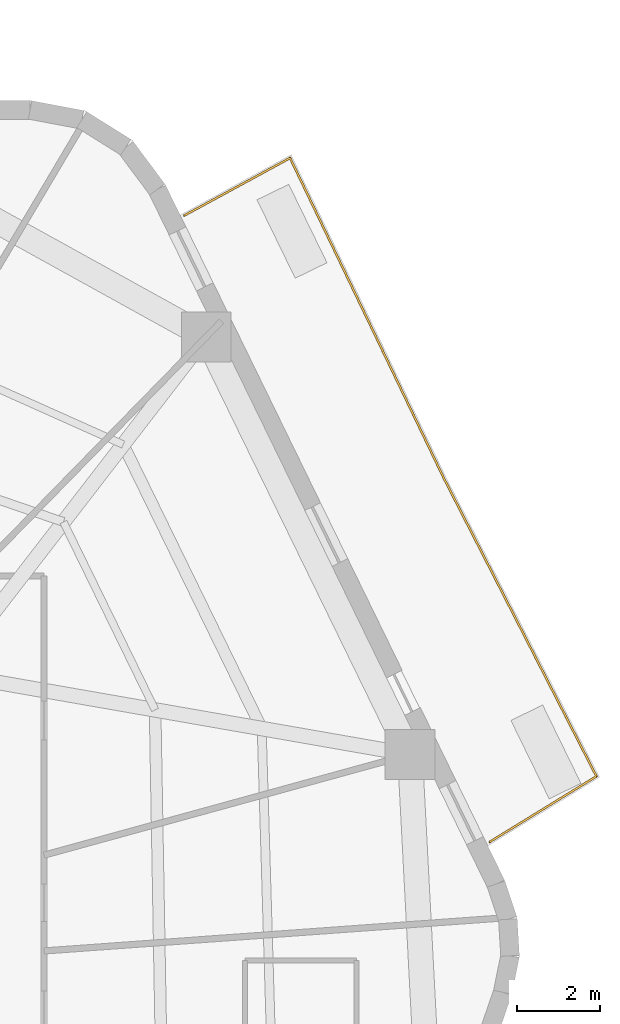
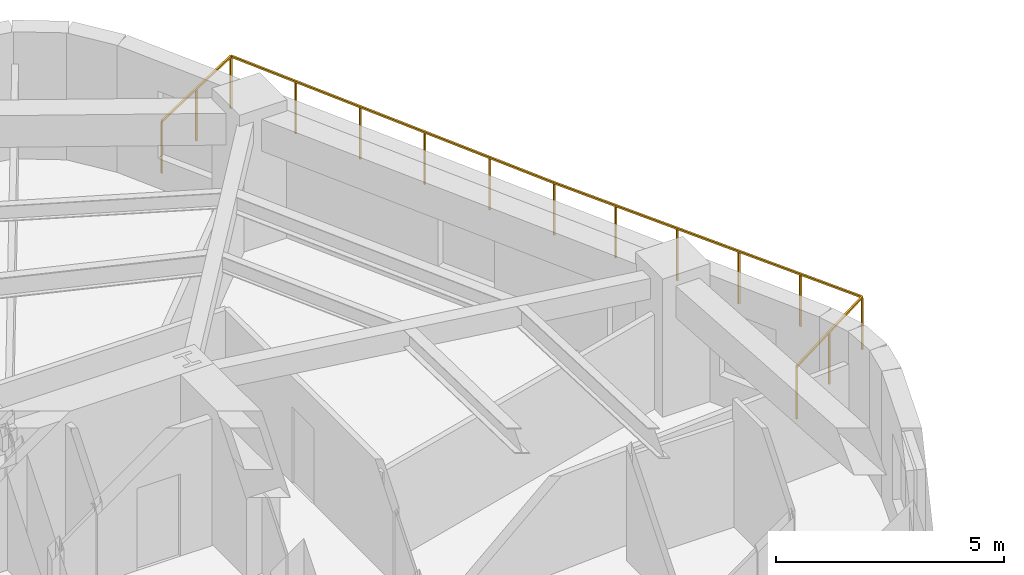
# One storey, part 10 of 10: 1 railing.
"""IFC4 building model written with IfcOpenShell, lengths in metres."""

from ifc_helpers import new_model, si_unit, direction, frame, origin, origin_2d, place, context, subcontext, project, spatial, rectangle, extrude, material, layer, layer_set, type_object, element, save


model = new_model("IFC4")

# Units and contexts
model_context = context("Model", 3, precision=1e-05, world=origin(), true_north=direction((0.0, 1.0)))
body_context = subcontext(model_context, "Body", "Model", "MODEL_VIEW")
ifc_project = project(units=[si_unit("LENGTHUNIT", "METRE"), si_unit("AREAUNIT", "SQUARE_METRE"), si_unit("VOLUMEUNIT", "CUBIC_METRE"), si_unit("PLANEANGLEUNIT", "RADIAN"), si_unit("MASSUNIT", "GRAM", prefix="KILO")], contexts=[model_context])

# Site, building, storey
site_placement = place(None, origin())
site = spatial("IfcSite", under=ifc_project, at=site_placement, CompositionType="ELEMENT")
building_placement = place(site_placement, origin())
building = spatial("IfcBuilding", under=site, at=building_placement, Name="Kilnhurst Terrace Hotel", CompositionType="ELEMENT")
storey_placement = place(building_placement, frame((0.0, 0.0, 98.800048828125)))
storey = spatial("IfcBuildingStorey", under=building, at=storey_placement, Name="L23", CompositionType="ELEMENT", Elevation=98.800048828125)

# Railing
ifc_material = material(Name="Laminated SentryGlas and Stainless Steel AISI 316L Balustrade", Category="steel")
ifc_layer = layer(ifc_material, 0.070068359375, Name="Laminated SentryGlas and Stainless Steel AISI 316L Balustrade")
ifc_layer_set = layer_set([ifc_layer], Name="Laminated SentryGlas and Stainless Steel AISI 316L Balustrade")
railing_type = type_object("IfcRailingType", Name="RLG-BAL-1420", PredefinedType="BALUSTRADE", material=ifc_layer_set)
railing_placement = place(storey_placement, frame((14.722900390625, 18.529541015625, 0.0)))
element("IfcRailing", 1, at=railing_placement, inside=storey, type_object=railing_type, Name="L23 Exterior Terrace Guardrail BAL-L1A.1", PredefinedType="BALUSTRADE", context=body_context, shape_type="SweptSolid", body=[
    extrude(rectangle(XDim=0.048095703125, YDim=0.048095703125, at=origin_2d()), frame((0.0, 0.0, 1.39599609375), z_axis=(0.878553207741, 0.477644492451, 0.0), x_axis=(-0.477644492451, 0.878553207741, 0.0)), (0.0, 0.0, 1.0), 2.90478515625),
    extrude(rectangle(XDim=0.048095703125, YDim=0.048095703125, at=origin_2d()), frame((2.552001953125, 1.387451171875, 1.39599609375), z_axis=(0.43291229924, -0.901436043858, 0.0), x_axis=(0.901436043858, 0.43291229924, 0.0)), (0.0, 0.0, 1.0), 8.583251953125),
    extrude(rectangle(XDim=0.048095703125, YDim=0.048095703125, at=origin_2d()), frame((6.267822265625, -6.349853515625, 1.39599609375), z_axis=(0.514495755428, -0.857492925713, 0.0), x_axis=(0.857492925713, 0.514495755428, 0.0)), (0.0, 0.0, 1.0), 0.00146484375),
    extrude(rectangle(XDim=0.048095703125, YDim=0.048095703125, at=origin_2d()), frame((6.2685546875, -6.35107421875, 1.39599609375), z_axis=(0.455744437697, -0.890110671494, 0.0), x_axis=(0.890110671494, 0.455744437697, 0.0)), (0.0, 0.0, 1.0), 8.039794921875),
    extrude(rectangle(XDim=0.048095703125, YDim=0.048095703125, at=origin_2d()), frame((9.9326171875, -13.50732421875, 1.39599609375), z_axis=(-0.85191630472, -0.523677963784, 0.0), x_axis=(0.523677963784, -0.85191630472, 0.0)), (0.0, 0.0, 1.0), 3.0205078125),
    extrude(rectangle(XDim=0.0419921875, YDim=0.0419921875, at=origin_2d()), origin(), (0.0, 0.0, 1.0), 1.371826171875),
    extrude(rectangle(XDim=0.0419921875, YDim=0.0419921875, at=origin_2d()), frame((1.27587890625, 0.69384765625, 0.0)), (0.0, 0.0, 1.0), 1.371826171875),
    extrude(rectangle(XDim=0.0419921875, YDim=0.0419921875, at=origin_2d()), frame((2.552001953125, 1.387451171875, 0.0)), (0.0, 0.0, 1.0), 1.371826171875),
    extrude(rectangle(XDim=0.0419921875, YDim=0.0419921875, at=origin_2d()), frame((3.295166015625, -0.159912109375, 0.0)), (0.0, 0.0, 1.0), 1.371826171875),
    extrude(rectangle(XDim=0.0419921875, YDim=0.0419921875, at=origin_2d()), frame((4.038330078125, -1.70751953125, 0.0)), (0.0, 0.0, 1.0), 1.371826171875),
    extrude(rectangle(XDim=0.0419921875, YDim=0.0419921875, at=origin_2d()), frame((4.781494140625, -3.2548828125, 0.0)), (0.0, 0.0, 1.0), 1.371826171875),
    extrude(rectangle(XDim=0.0419921875, YDim=0.0419921875, at=origin_2d()), frame((5.524658203125, -4.802490234375, 0.0)), (0.0, 0.0, 1.0), 1.371826171875),
    extrude(rectangle(XDim=0.0419921875, YDim=0.0419921875, at=origin_2d()), frame((6.267822265625, -6.349853515625, 0.0)), (0.0, 0.0, 1.0), 1.371826171875),
    extrude(rectangle(XDim=0.0419921875, YDim=0.0419921875, at=origin_2d()), frame((6.2685546875, -6.35107421875, 0.0)), (0.0, 0.0, 1.0), 1.371826171875),
    extrude(rectangle(XDim=0.0419921875, YDim=0.0419921875, at=origin_2d()), frame((7.00146484375, -7.7822265625, 0.0)), (0.0, 0.0, 1.0), 1.371826171875),
    extrude(rectangle(XDim=0.0419921875, YDim=0.0419921875, at=origin_2d()), frame((7.734130859375, -9.213623046875, 0.0)), (0.0, 0.0, 1.0), 1.371826171875),
    extrude(rectangle(XDim=0.0419921875, YDim=0.0419921875, at=origin_2d()), frame((8.467041015625, -10.644775390625, 0.0)), (0.0, 0.0, 1.0), 1.371826171875),
    extrude(rectangle(XDim=0.0419921875, YDim=0.0419921875, at=origin_2d()), frame((9.19970703125, -12.076171875, 0.0)), (0.0, 0.0, 1.0), 1.371826171875),
    extrude(rectangle(XDim=0.0419921875, YDim=0.0419921875, at=origin_2d()), frame((9.9326171875, -13.50732421875, 0.0)), (0.0, 0.0, 1.0), 1.371826171875),
    extrude(rectangle(XDim=0.0419921875, YDim=0.0419921875, at=origin_2d()), frame((8.64599609375, -14.29833984375, 0.0)), (0.0, 0.0, 1.0), 1.371826171875),
    extrude(rectangle(XDim=0.0419921875, YDim=0.0419921875, at=origin_2d()), frame((7.359375, -15.089111328125, 0.0)), (0.0, 0.0, 1.0), 1.371826171875),
])

save(model, "model.ifc")
